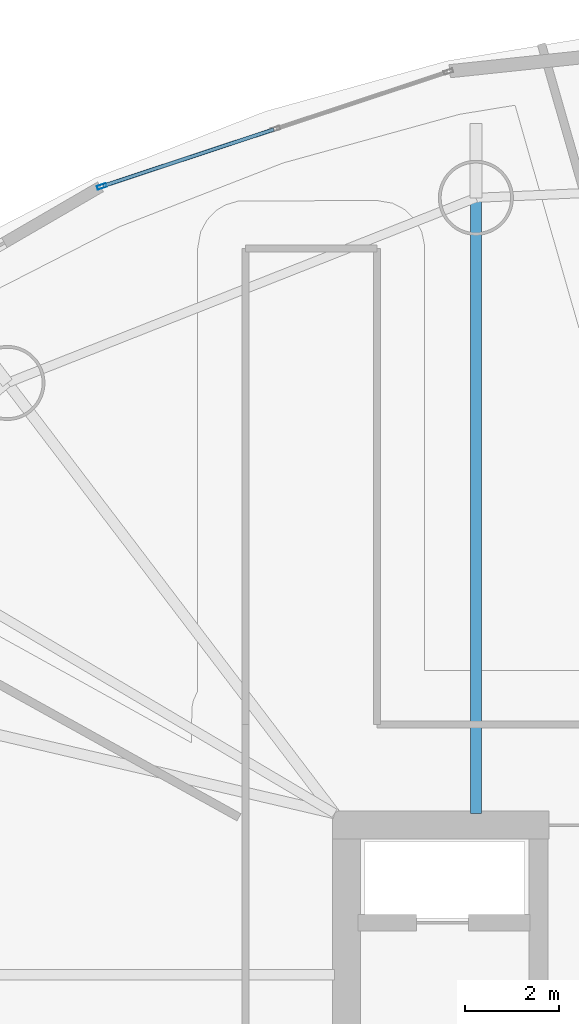
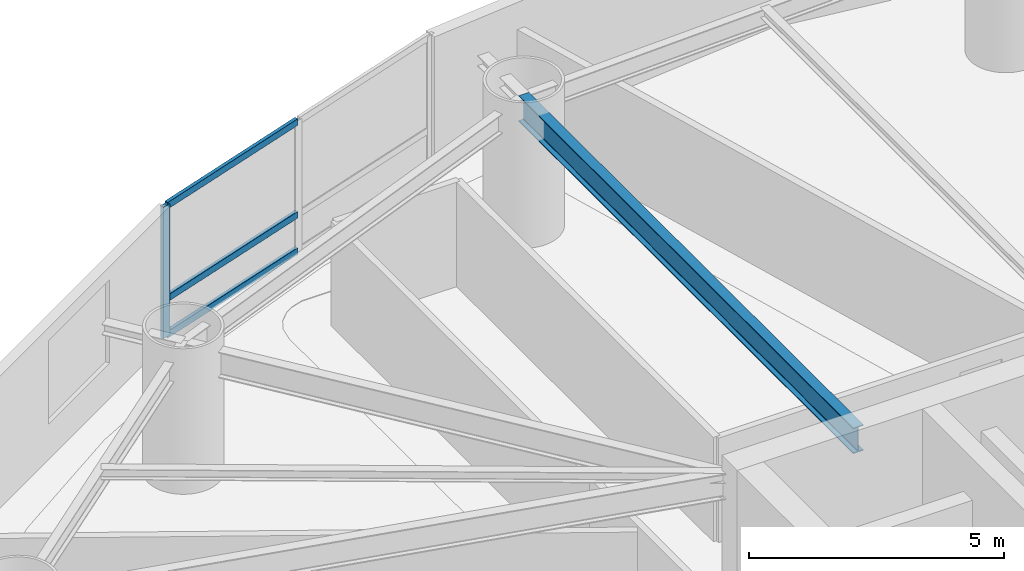
# One storey, part 12 of 25: 4 members, 1 beam, 1 element without a shape of its own.
"""IFC4 building model written with IfcOpenShell, lengths in metres."""

from ifc_helpers import new_model, si_unit, direction, frame, origin, origin_2d, place, context, subcontext, project, spatial, hollow_rectangle, i_section, extrude, material, layer, layer_set, material_profile, profile_set, type_object, element, aggregate, save


model = new_model("IFC4")

# Units and contexts
model_context = context("Model", 3, precision=1e-05, world=origin(), true_north=direction((0.0, 1.0)))
body_context = subcontext(model_context, "Body", "Model", "MODEL_VIEW")
ifc_project = project(units=[si_unit("LENGTHUNIT", "METRE"), si_unit("AREAUNIT", "SQUARE_METRE"), si_unit("VOLUMEUNIT", "CUBIC_METRE"), si_unit("PLANEANGLEUNIT", "RADIAN"), si_unit("MASSUNIT", "GRAM", prefix="KILO")], contexts=[model_context])

# Site, building, storey
site_placement = place(None, origin())
site = spatial("IfcSite", under=ifc_project, at=site_placement, CompositionType="ELEMENT")
building_placement = place(site_placement, origin())
building = spatial("IfcBuilding", under=site, at=building_placement, Name="Bramvorn Convention Spire", CompositionType="ELEMENT")
storey_placement = place(building_placement, frame((0.0, 0.0, 93.89990234375)))
storey = spatial("IfcBuildingStorey", under=building, at=storey_placement, Name="L22", CompositionType="ELEMENT", Elevation=93.89990234375)

# Beam
ifc_material_1 = material(Name="Steel CSA G40.21 Grade 350 (350W)", Category="steel")
ifc_material_profile_1 = material_profile(ifc_material_1, i_section(OverallWidth=0.22998046875, OverallDepth=0.616943359375, WebThickness=0.01318359375, FlangeThickness=0.022216796875, FilletRadius=0.02001953125, at=origin_2d()))
ifc_profile_set_1 = profile_set([ifc_material_profile_1], Name="Steel CSA G40.21 Grade 350 (350W) - W610X140")
beam_type = type_object("IfcBeamType", Name="BM-W610X140", PredefinedType="BEAM", material=ifc_profile_set_1)
beam_placement = place(storey_placement, frame((29.76220703125, 33.449951171875, 2.841552734375), z_axis=(0.0, 1.0, 0.0), x_axis=(-1.0, 0.0, 0.0)))
element("IfcBeam", 1, at=beam_placement, inside=storey, type_object=beam_type, Name="L22 radial floor girder MC06", PredefinedType="BEAM", context=body_context, shape_type="SweptSolid", body=[
    extrude(i_section(OverallWidth=0.22998046875, OverallDepth=0.616943359375, WebThickness=0.01318359375, FlangeThickness=0.022216796875, FilletRadius=0.02001953125, at=origin_2d()), origin(), (0.0, 0.0, 1.0), 13.126708984375),
])

# Curtain wall, members
ifc_material_2 = material(Name="Anodised Bronze Unitised Curtain Wall", Category="aluminium")
ifc_layer = layer(ifc_material_2, 0.179931640625)
ifc_layer_set = layer_set([ifc_layer], Name="Anodised Bronze Unitised Curtain Wall - CW-HTL-FRIT")
curtain_wall_type = type_object("IfcCurtainWallType", Name="CW-HTL-FRIT", PredefinedType="USERDEFINED", material=ifc_layer_set)
curtain_wall_placement = place(storey_placement, origin())
curtain_wall = element("IfcCurtainWall", 2, at=curtain_wall_placement, inside=storey, type_object=curtain_wall_type, Name="L22 fritted glass curtain wall 09", ObjectType="UNITISED CURTAIN WALL", PredefinedType="USERDEFINED")
ifc_material_3 = material(Name="Anodised Bronze Aluminium 6063-T6", Category="aluminium")
ifc_material_profile_2 = material_profile(ifc_material_3, hollow_rectangle(XDim=0.080078125, YDim=0.199951171875, WallThickness=0.00390625, InnerFilletRadius=0.0009765625, OuterFilletRadius=0.00390625, at=origin_2d()))
ifc_profile_set_2 = profile_set([ifc_material_profile_2], Name="Anodised Bronze Aluminium 6063-T6 - CWM80X200")
member_type_1 = type_object("IfcMemberType", Name="CW-MUL-180", PredefinedType="MULLION", material=ifc_profile_set_2)
member_1_placement = place(storey_placement, frame((21.786376953125, 46.821044921875, 0.0), z_axis=(0.0, 0.0, 1.0), x_axis=(-0.314280612877, 0.949330130339, 0.0)))
member_1 = element("IfcMember", 3, at=member_1_placement, type_object=member_type_1, Name="CW2 mullion 1", PredefinedType="MULLION", context=body_context, shape_type="SweptSolid", body=[
    extrude(hollow_rectangle(XDim=0.080078125, YDim=0.199951171875, WallThickness=0.00390625, InnerFilletRadius=0.0009765625, OuterFilletRadius=0.00390625, at=origin_2d()), origin(), (0.0, 0.0, 1.0), 3.150146484375),
])
ifc_material_profile_3 = material_profile(ifc_material_3, hollow_rectangle(XDim=0.080078125, YDim=0.159912109375, WallThickness=0.00390625, InnerFilletRadius=0.0009765625, OuterFilletRadius=0.00390625, at=origin_2d()))
ifc_profile_set_3 = profile_set([ifc_material_profile_3], Name="Anodised Bronze Aluminium 6063-T6 - CWT80X160")
member_type_2 = type_object("IfcMemberType", Name="CW-TRN-150", PredefinedType="USERDEFINED", material=ifc_profile_set_3)
member_2_placement = place(storey_placement, frame((21.81494140625, 46.83056640625, 0.030029296875), z_axis=(0.949337421066, 0.314258589325, 0.0), x_axis=(-0.314258589325, 0.949337421066, 0.0)))
member_2 = element("IfcMember", 4, at=member_2_placement, type_object=member_type_2, Name="CW2 transom 1.1", ObjectType="TRANSOM", PredefinedType="USERDEFINED", context=body_context, shape_type="SweptSolid", body=[
    extrude(hollow_rectangle(XDim=0.080078125, YDim=0.159912109375, WallThickness=0.00390625, InnerFilletRadius=0.0009765625, OuterFilletRadius=0.00390625, at=origin_2d()), origin(), (0.0, 0.0, 1.0), 3.832275390625),
])
member_3_placement = place(storey_placement, frame((21.81494140625, 46.83056640625, 0.900146484375), z_axis=(0.949337421066, 0.314258589325, 0.0), x_axis=(-0.314258589325, 0.949337421066, 0.0)))
member_3 = element("IfcMember", 5, at=member_3_placement, type_object=member_type_2, Name="CW2 transom 1.2", ObjectType="TRANSOM", PredefinedType="USERDEFINED", context=body_context, shape_type="SweptSolid", body=[
    extrude(hollow_rectangle(XDim=0.080078125, YDim=0.159912109375, WallThickness=0.00390625, InnerFilletRadius=0.0009765625, OuterFilletRadius=0.00390625, at=origin_2d()), origin(), (0.0, 0.0, 1.0), 3.832275390625),
])
member_4_placement = place(storey_placement, frame((21.81494140625, 46.83056640625, 3.1201171875), z_axis=(0.949337421066, 0.314258589325, 0.0), x_axis=(-0.314258589325, 0.949337421066, 0.0)))
member_4 = element("IfcMember", 6, at=member_4_placement, type_object=member_type_2, Name="CW2 transom 1.3", ObjectType="TRANSOM", PredefinedType="USERDEFINED", context=body_context, shape_type="SweptSolid", body=[
    extrude(hollow_rectangle(XDim=0.080078125, YDim=0.159912109375, WallThickness=0.00390625, InnerFilletRadius=0.0009765625, OuterFilletRadius=0.00390625, at=origin_2d()), origin(), (0.0, 0.0, 1.0), 3.832275390625),
])
aggregate(curtain_wall, [member_1, member_2, member_3, member_4])

save(model, "model.ifc")
